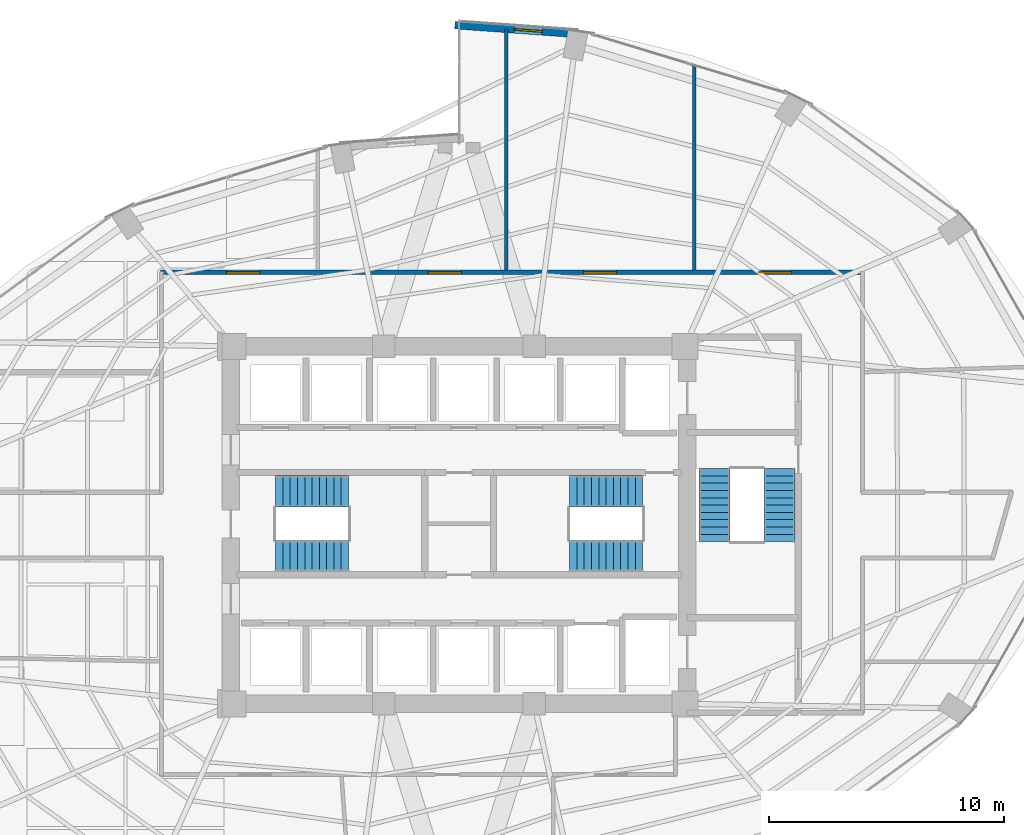
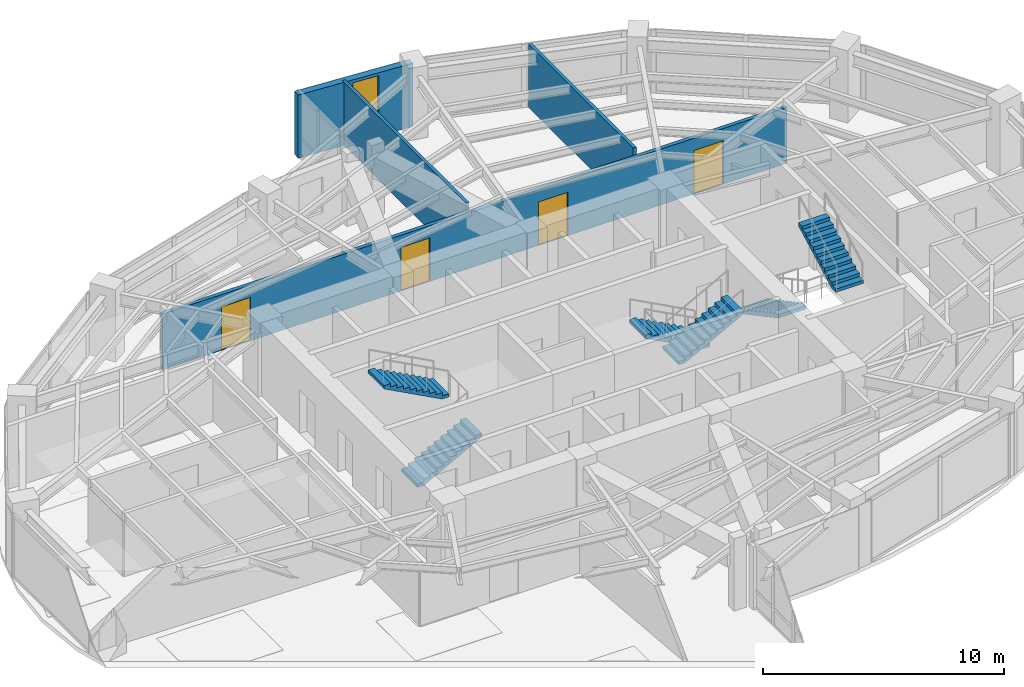
# One storey, part 22 of 24: 6 stair flights, 4 doors, 4 walls, 1 window, 5 openings, 3 elements without a shape of their own.
"""IFC4 building model written with IfcOpenShell, lengths in metres."""

from ifc_helpers import new_model, si_unit, direction, frame, frame_2d, origin, place, context, subcontext, project, spatial, polyline, rectangle, outline, extrude, material, layer, layer_set, type_object, element, fill, aggregate, save


model = new_model("IFC4")

# Units and contexts
model_context = context("Model", 3, precision=1e-05, world=origin(), true_north=direction((0.0, 1.0)))
body_context = subcontext(model_context, "Body", "Model", "MODEL_VIEW")
ifc_project = project(units=[si_unit("LENGTHUNIT", "METRE"), si_unit("AREAUNIT", "SQUARE_METRE"), si_unit("VOLUMEUNIT", "CUBIC_METRE"), si_unit("PLANEANGLEUNIT", "RADIAN"), si_unit("MASSUNIT", "GRAM", prefix="KILO")], contexts=[model_context])

# Site, building, storey
site_placement = place(None, origin())
site = spatial("IfcSite", under=ifc_project, at=site_placement, CompositionType="ELEMENT")
building_placement = place(site_placement, origin())
building = spatial("IfcBuilding", under=site, at=building_placement, Name="Lazwardi Medical Tower", CompositionType="ELEMENT")
storey_placement = place(building_placement, frame((0.0, 0.0, 129.16796875)))
storey = spatial("IfcBuildingStorey", under=building, at=storey_placement, Name="L33", CompositionType="ELEMENT", Elevation=129.16796875)

# Wall, openings, doors
ifc_material_1 = material(Name="Fire-rated gypsum board on steel stud", Category="steel")
ifc_layer_1 = layer(ifc_material_1, 0.179931640625)
ifc_layer_set_1 = layer_set([ifc_layer_1], Name="Fire-rated gypsum board on steel stud")
wall_type_1 = type_object("IfcWallType", Name="WL-COR-180", PredefinedType="PARTITIONING", material=ifc_layer_set_1)
wall_1_placement = place(storey_placement, frame((23.31005859375, 38.75, 0.0), z_axis=(0.0, 0.0, 1.0), x_axis=(1.0, 0.0, 0.0)))
wall_1 = element("IfcWall", 1, at=wall_1_placement, inside=storey, type_object=wall_type_1, Name="L33 Corridor partition 4", PredefinedType="PARTITIONING", context=body_context, shape_type="SweptSolid", body=[
    extrude(rectangle(XDim=29.8798828125, YDim=0.179931640625, at=frame_2d((14.93994140625, 0.0))), origin(), (0.0, 0.0, 1.0), 2.822998046875),
])
opening_1_placement = place(wall_1_placement, frame((25.426025390625, 0.0, 0.0)))
opening_1 = element("IfcOpeningElement", 2, at=opening_1_placement, cuts=wall_1, Name="Opening D-L33-011", PredefinedType="OPENING", context=body_context, shape_type="SweptSolid", body=[
    extrude(rectangle(XDim=1.39990234375, YDim=2.199951171875, at=frame_2d((0.699951171875, 1.10009765625))), frame((0.0, 0.099853515625, 0.0), z_axis=(0.0, -1.0, 0.0), x_axis=(1.0, 0.0, 0.0)), (0.0, 0.0, 1.0), 0.199951171875),
])
opening_2_placement = place(wall_1_placement, frame((17.989990234375, 0.0, 0.0)))
opening_2 = element("IfcOpeningElement", 3, at=opening_2_placement, cuts=wall_1, Name="Opening D-L33-012", PredefinedType="OPENING", context=body_context, shape_type="SweptSolid", body=[
    extrude(rectangle(XDim=1.39990234375, YDim=2.199951171875, at=frame_2d((0.699951171875, 1.10009765625))), frame((0.0, 0.099853515625, 0.0), z_axis=(0.0, -1.0, 0.0), x_axis=(1.0, 0.0, 0.0)), (0.0, 0.0, 1.0), 0.199951171875),
])
opening_3_placement = place(wall_1_placement, frame((11.389892578125, 0.0, 0.0)))
opening_3 = element("IfcOpeningElement", 4, at=opening_3_placement, cuts=wall_1, Name="Opening D-L33-013", PredefinedType="OPENING", context=body_context, shape_type="SweptSolid", body=[
    extrude(rectangle(XDim=1.39990234375, YDim=2.199951171875, at=frame_2d((0.699951171875, 1.10009765625))), frame((0.0, 0.099853515625, 0.0), z_axis=(0.0, -1.0, 0.0), x_axis=(1.0, 0.0, 0.0)), (0.0, 0.0, 1.0), 0.199951171875),
])
opening_4_placement = place(wall_1_placement, frame((2.803955078125, 0.0, 0.0)))
opening_4 = element("IfcOpeningElement", 5, at=opening_4_placement, cuts=wall_1, Name="Opening D-L33-014", PredefinedType="OPENING", context=body_context, shape_type="SweptSolid", body=[
    extrude(rectangle(XDim=1.39990234375, YDim=2.199951171875, at=frame_2d((0.699951171875, 1.10009765625))), frame((0.0, 0.099853515625, 0.0), z_axis=(0.0, -1.0, 0.0), x_axis=(1.0, 0.0, 0.0)), (0.0, 0.0, 1.0), 0.199951171875),
])
ifc_material_2 = material(Name="Anti-microbial laminate hospital leaf")
door_type = type_object("IfcDoorType", Name="DR-BED-1400", OperationType="NOTDEFINED", PredefinedType="DOOR", material=ifc_material_2)
door_1_placement = place(opening_1_placement, origin())
door_1 = element("IfcDoor", 6, at=door_1_placement, inside=storey, type_object=door_type, Name="L33 Department Reception Foyer Door 05", OperationType="SINGLE_SWING_RIGHT", OverallHeight=2.199951171875, OverallWidth=1.39990234375, PredefinedType="DOOR", context=body_context, shape_type="SweptSolid", body=[
    extrude(rectangle(XDim=1.39990234375, YDim=2.199951171875, at=frame_2d((0.699951171875, 1.10009765625))), frame((0.0, 0.02490234375, 0.0), z_axis=(0.0, -1.0, 0.0), x_axis=(1.0, 0.0, 0.0)), (0.0, 0.0, 1.0), 0.050048828125),
])
fill(opening_1, door_1)
door_2_placement = place(opening_2_placement, origin())
door_2 = element("IfcDoor", 7, at=door_2_placement, inside=storey, type_object=door_type, Name="L33 Department Reception Foyer Door 06", OperationType="SINGLE_SWING_LEFT", OverallHeight=2.199951171875, OverallWidth=1.39990234375, PredefinedType="DOOR", context=body_context, shape_type="SweptSolid", body=[
    extrude(rectangle(XDim=1.39990234375, YDim=2.199951171875, at=frame_2d((0.699951171875, 1.10009765625))), frame((0.0, 0.02490234375, 0.0), z_axis=(0.0, -1.0, 0.0), x_axis=(1.0, 0.0, 0.0)), (0.0, 0.0, 1.0), 0.050048828125),
])
fill(opening_2, door_2)
door_3_placement = place(opening_3_placement, origin())
door_3 = element("IfcDoor", 8, at=door_3_placement, inside=storey, type_object=door_type, Name="L33 Department Reception Foyer Door 07", OperationType="SINGLE_SWING_RIGHT", OverallHeight=2.199951171875, OverallWidth=1.39990234375, PredefinedType="DOOR", context=body_context, shape_type="SweptSolid", body=[
    extrude(rectangle(XDim=1.39990234375, YDim=2.199951171875, at=frame_2d((0.699951171875, 1.10009765625))), frame((0.0, 0.02490234375, 0.0), z_axis=(0.0, -1.0, 0.0), x_axis=(1.0, 0.0, 0.0)), (0.0, 0.0, 1.0), 0.050048828125),
])
fill(opening_3, door_3)
door_4_placement = place(opening_4_placement, origin())
door_4 = element("IfcDoor", 9, at=door_4_placement, inside=storey, type_object=door_type, Name="L33 Department Reception Foyer Door 08", OperationType="SINGLE_SWING_LEFT", OverallHeight=2.199951171875, OverallWidth=1.39990234375, PredefinedType="DOOR", context=body_context, shape_type="SweptSolid", body=[
    extrude(rectangle(XDim=1.39990234375, YDim=2.199951171875, at=frame_2d((0.699951171875, 1.10009765625))), frame((0.0, 0.02490234375, 0.0), z_axis=(0.0, -1.0, 0.0), x_axis=(1.0, 0.0, 0.0)), (0.0, 0.0, 1.0), 0.050048828125),
])
fill(opening_4, door_4)

# Wall, opening, window
ifc_material_3 = material(Name="Precast concrete C45/55", Category="concrete")
ifc_layer_2 = layer(ifc_material_3, 0.320068359375)
ifc_layer_set_2 = layer_set([ifc_layer_2], Name="Precast concrete C45/55")
wall_type_2 = type_object("IfcWallType", Name="WL-IWAN-320", PredefinedType="SOLIDWALL", material=ifc_layer_set_2)
wall_2_placement = place(storey_placement, frame((41.091064453125, 48.87451171875, 0.0), z_axis=(0.0, 0.0, 1.0), x_axis=(-0.997432364291, 0.071614793619, 0.0)))
wall_2 = element("IfcWall", 10, at=wall_2_placement, inside=storey, type_object=wall_type_2, Name="L33 Iwan Portal Return Wall NE_ret", PredefinedType="SOLIDWALL", context=body_context, shape_type="SweptSolid", body=[
    extrude(rectangle(XDim=5.2841796875, YDim=0.320068359375, at=frame_2d((2.64208984375, 0.0))), origin(), (0.0, 0.0, 1.0), 3.197998046875),
])
opening_5_placement = place(wall_2_placement, frame((1.557861328125, 0.0, 0.85009765625)))
opening_5 = element("IfcOpeningElement", 11, at=opening_5_placement, cuts=wall_2, Name="Opening WN-01", PredefinedType="OPENING", context=body_context, shape_type="SweptSolid", body=[
    extrude(rectangle(XDim=1.199951171875, YDim=2.199951171875, at=frame_2d((0.60009765625, 1.10009765625))), frame((0.0, 0.169921875, 0.0), z_axis=(0.0, -1.0, 0.0), x_axis=(1.0, 0.0, 0.0)), (0.0, 0.0, 1.0), 0.340087890625),
])
ifc_material_4 = material(Name="Low-e bronze solar control double glazing", Category="glass")
window_type = type_object("IfcWindowType", Name="WIN-IW-1200", PartitioningType="SINGLE_PANEL", PredefinedType="WINDOW", material=ifc_material_4)
window_placement = place(opening_5_placement, origin())
window = element("IfcWindow", 12, at=window_placement, inside=storey, type_object=window_type, Name="L33 Iwan Slot Window NE_ret", OverallHeight=2.199951171875, OverallWidth=1.199951171875, PartitioningType="SINGLE_PANEL", PredefinedType="WINDOW", context=body_context, shape_type="SweptSolid", body=[
    extrude(rectangle(XDim=1.199951171875, YDim=2.199951171875, at=frame_2d((0.60009765625, 1.10009765625))), frame((0.0, 0.030029296875, 0.0), z_axis=(0.0, -1.0, 0.0), x_axis=(1.0, 0.0, 0.0)), (0.0, 0.0, 1.0), 0.06005859375),
])
fill(opening_5, window)

# Walls
ifc_material_5 = material(Name="Acoustic gypsum board partition")
ifc_layer_3 = layer(ifc_material_5, 0.14990234375)
ifc_layer_set_3 = layer_set([ifc_layer_3], Name="Acoustic gypsum board partition")
wall_type_3 = type_object("IfcWallType", Name="WL-WRD-150", PredefinedType="PARTITIONING", material=ifc_layer_set_3)
wall_3_placement = place(storey_placement, frame((38.0, 38.840087890625, 0.0), z_axis=(0.0, 0.0, 1.0), x_axis=(0.0, 1.0, 0.0)))
element("IfcWall", 13, at=wall_3_placement, inside=storey, type_object=wall_type_3, Name="L33 Room partition 6", PredefinedType="PARTITIONING", context=body_context, shape_type="SweptSolid", body=[
    extrude(rectangle(XDim=10.24365234375, YDim=0.14990234375, at=frame_2d((5.121826171875, 0.0))), origin(), (0.0, 0.0, 1.0), 3.197998046875),
])
wall_4_placement = place(storey_placement, frame((46.0, 38.840087890625, 0.0), z_axis=(0.0, 0.0, 1.0), x_axis=(0.0, 1.0, 0.0)))
element("IfcWall", 14, at=wall_4_placement, inside=storey, type_object=wall_type_3, Name="L33 Room partition 7", PredefinedType="PARTITIONING", context=body_context, shape_type="SweptSolid", body=[
    extrude(rectangle(XDim=8.689208984375, YDim=0.14990234375, at=frame_2d((4.3447265625, 0.0))), origin(), (0.0, 0.0, 1.0), 3.197998046875),
])

# Stair, stair flights
ifc_material_6 = material(Name="Concrete C45/55", Category="concrete")
stair_type = type_object("IfcStairType", Name="STR-WRD", PredefinedType="HALF_TURN_STAIR", material=ifc_material_6)
stair_1_placement = place(storey_placement, origin())
stair_1 = element("IfcStair", 15, at=stair_1_placement, inside=storey, type_object=stair_type, Name="L33 Protected Exit Stair ST1", PredefinedType="HALF_TURN_STAIR")
stair_flight_type = type_object("IfcStairFlightType", Name="FLT-WRD", PredefinedType="STRAIGHT", material=ifc_material_6)
stair_flight_1_placement = place(storey_placement, frame((28.199951171875, 26.679931640625, 0.0), z_axis=(0.0, 0.0, 1.0), x_axis=(1.0, 0.0, 0.0)))
stair_flight_1 = element("IfcStairFlight", 16, at=stair_flight_1_placement, type_object=stair_flight_type, Name="ST1 flight 1", NumberOfRisers=11, NumberOfTreads=10, PredefinedType="STRAIGHT", RiserHeight=0.165818182, TreadLength=0.31, context=body_context, shape_type="SweptSolid", body=[
    extrude(outline(polyline([(0.0, 0.0), (0.0, 0.165771484375), (0.31005859375, 0.165771484375), (0.31005859375, 0.33154296875), (0.6201171875, 0.33154296875), (0.6201171875, 0.49755859375), (0.929931640625, 0.49755859375), (0.929931640625, 0.663330078125), (1.239990234375, 0.663330078125), (1.239990234375, 0.8291015625), (1.550048828125, 0.8291015625), (1.550048828125, 0.994873046875), (1.860107421875, 0.994873046875), (1.860107421875, 1.16064453125), (2.169921875, 1.16064453125), (2.169921875, 1.32666015625), (2.47998046875, 1.32666015625), (2.47998046875, 1.492431640625), (2.7900390625, 1.492431640625), (2.7900390625, 1.658203125), (3.10009765625, 1.658203125), (3.10009765625, 1.823974609375), (3.10009765625, 1.48828125), (0.31787109375, 0.0), (0.0, 0.0)])), frame((0.0, 0.66015625, 0.0), z_axis=(0.0, -1.0, 0.0), x_axis=(1.0, 0.0, 0.0)), (0.0, 0.0, 1.0), 1.320068359375),
])
stair_flight_2_placement = place(storey_placement, frame((31.300048828125, 29.43994140625, 1.823974609375), z_axis=(0.0, 0.0, 1.0), x_axis=(-1.0, 0.0, 0.0)))
stair_flight_2 = element("IfcStairFlight", 17, at=stair_flight_2_placement, type_object=stair_flight_type, Name="ST1 flight 2", NumberOfRisers=11, NumberOfTreads=10, PredefinedType="STRAIGHT", RiserHeight=0.165818182, TreadLength=0.31, context=body_context, shape_type="SweptSolid", body=[
    extrude(outline(polyline([(0.0, 0.0), (0.0, 0.165771484375), (0.31005859375, 0.165771484375), (0.31005859375, 0.33154296875), (0.6201171875, 0.33154296875), (0.6201171875, 0.49755859375), (0.929931640625, 0.49755859375), (0.929931640625, 0.663330078125), (1.239990234375, 0.663330078125), (1.239990234375, 0.8291015625), (1.550048828125, 0.8291015625), (1.550048828125, 0.994873046875), (1.860107421875, 0.994873046875), (1.860107421875, 1.16064453125), (2.169921875, 1.16064453125), (2.169921875, 1.32666015625), (2.47998046875, 1.32666015625), (2.47998046875, 1.492431640625), (2.7900390625, 1.492431640625), (2.7900390625, 1.658203125), (3.10009765625, 1.658203125), (3.10009765625, 1.823974609375), (3.10009765625, 1.48828125), (0.31787109375, 0.0), (0.0, 0.0)])), frame((0.0, 0.66015625, 0.0), z_axis=(0.0, -1.0, 0.0), x_axis=(1.0, 0.0, 0.0)), (0.0, 0.0, 1.0), 1.320068359375),
])
aggregate(stair_1, [stair_flight_1, stair_flight_2])

stair_2_placement = place(storey_placement, origin())
stair_2 = element("IfcStair", 18, at=stair_2_placement, inside=storey, type_object=stair_type, Name="L33 Protected Exit Stair ST2", PredefinedType="HALF_TURN_STAIR")
stair_flight_3_placement = place(storey_placement, frame((43.800048828125, 29.43994140625, 0.0), z_axis=(0.0, 0.0, 1.0), x_axis=(-1.0, 0.0, 0.0)))
stair_flight_3 = element("IfcStairFlight", 19, at=stair_flight_3_placement, type_object=stair_flight_type, Name="ST2 flight 1", NumberOfRisers=11, NumberOfTreads=10, PredefinedType="STRAIGHT", RiserHeight=0.165818182, TreadLength=0.31, context=body_context, shape_type="SweptSolid", body=[
    extrude(outline(polyline([(0.0, 0.0), (0.0, 0.165771484375), (0.31005859375, 0.165771484375), (0.31005859375, 0.33154296875), (0.6201171875, 0.33154296875), (0.6201171875, 0.49755859375), (0.929931640625, 0.49755859375), (0.929931640625, 0.663330078125), (1.239990234375, 0.663330078125), (1.239990234375, 0.8291015625), (1.550048828125, 0.8291015625), (1.550048828125, 0.994873046875), (1.860107421875, 0.994873046875), (1.860107421875, 1.16064453125), (2.169921875, 1.16064453125), (2.169921875, 1.32666015625), (2.47998046875, 1.32666015625), (2.47998046875, 1.492431640625), (2.7900390625, 1.492431640625), (2.7900390625, 1.658203125), (3.10009765625, 1.658203125), (3.10009765625, 1.823974609375), (3.10009765625, 1.48828125), (0.31787109375, 0.0), (0.0, 0.0)])), frame((0.0, 0.66015625, 0.0), z_axis=(0.0, -1.0, 0.0), x_axis=(1.0, 0.0, 0.0)), (0.0, 0.0, 1.0), 1.320068359375),
])
stair_flight_4_placement = place(storey_placement, frame((40.699951171875, 26.679931640625, 1.823974609375), z_axis=(0.0, 0.0, 1.0), x_axis=(1.0, 0.0, 0.0)))
stair_flight_4 = element("IfcStairFlight", 20, at=stair_flight_4_placement, type_object=stair_flight_type, Name="ST2 flight 2", NumberOfRisers=11, NumberOfTreads=10, PredefinedType="STRAIGHT", RiserHeight=0.165818182, TreadLength=0.31, context=body_context, shape_type="SweptSolid", body=[
    extrude(outline(polyline([(0.0, 0.0), (0.0, 0.165771484375), (0.31005859375, 0.165771484375), (0.31005859375, 0.33154296875), (0.6201171875, 0.33154296875), (0.6201171875, 0.49755859375), (0.929931640625, 0.49755859375), (0.929931640625, 0.663330078125), (1.239990234375, 0.663330078125), (1.239990234375, 0.8291015625), (1.550048828125, 0.8291015625), (1.550048828125, 0.994873046875), (1.860107421875, 0.994873046875), (1.860107421875, 1.16064453125), (2.169921875, 1.16064453125), (2.169921875, 1.32666015625), (2.47998046875, 1.32666015625), (2.47998046875, 1.492431640625), (2.7900390625, 1.492431640625), (2.7900390625, 1.658203125), (3.10009765625, 1.658203125), (3.10009765625, 1.823974609375), (3.10009765625, 1.48828125), (0.31787109375, 0.0), (0.0, 0.0)])), frame((0.0, 0.66015625, 0.0), z_axis=(0.0, -1.0, 0.0), x_axis=(1.0, 0.0, 0.0)), (0.0, 0.0, 1.0), 1.320068359375),
])
aggregate(stair_2, [stair_flight_3, stair_flight_4])

stair_3_placement = place(storey_placement, origin())
stair_3 = element("IfcStair", 21, at=stair_3_placement, inside=storey, type_object=stair_type, Name="L33 Protected Exit Stair ST3", PredefinedType="HALF_TURN_STAIR")
stair_flight_5_placement = place(storey_placement, frame((46.860107421875, 30.39990234375, 0.0), z_axis=(0.0, 0.0, 1.0), x_axis=(0.0, -1.0, 0.0)))
stair_flight_5 = element("IfcStairFlight", 22, at=stair_flight_5_placement, type_object=stair_flight_type, Name="ST3 flight 1", NumberOfRisers=11, NumberOfTreads=10, PredefinedType="STRAIGHT", RiserHeight=0.165818182, TreadLength=0.31, context=body_context, shape_type="SweptSolid", body=[
    extrude(outline(polyline([(0.0, 0.0), (0.0, 0.165771484375), (0.31005859375, 0.165771484375), (0.31005859375, 0.33154296875), (0.6201171875, 0.33154296875), (0.6201171875, 0.49755859375), (0.929931640625, 0.49755859375), (0.929931640625, 0.663330078125), (1.239990234375, 0.663330078125), (1.239990234375, 0.8291015625), (1.550048828125, 0.8291015625), (1.550048828125, 0.994873046875), (1.860107421875, 0.994873046875), (1.860107421875, 1.16064453125), (2.169921875, 1.16064453125), (2.169921875, 1.32666015625), (2.47998046875, 1.32666015625), (2.47998046875, 1.492431640625), (2.7900390625, 1.492431640625), (2.7900390625, 1.658203125), (3.10009765625, 1.658203125), (3.10009765625, 1.823974609375), (3.10009765625, 1.48828125), (0.31787109375, 0.0), (0.0, 0.0)])), frame((0.0, 0.66015625, 0.0), z_axis=(0.0, -1.0, 0.0), x_axis=(1.0, 0.0, 0.0)), (0.0, 0.0, 1.0), 1.320068359375),
])
stair_flight_6_placement = place(storey_placement, frame((49.6201171875, 27.300048828125, 1.823974609375), z_axis=(0.0, 0.0, 1.0), x_axis=(0.0, 1.0, 0.0)))
stair_flight_6 = element("IfcStairFlight", 23, at=stair_flight_6_placement, type_object=stair_flight_type, Name="ST3 flight 2", NumberOfRisers=11, NumberOfTreads=10, PredefinedType="STRAIGHT", RiserHeight=0.165818182, TreadLength=0.31, context=body_context, shape_type="SweptSolid", body=[
    extrude(outline(polyline([(0.0, 0.0), (0.0, 0.165771484375), (0.31005859375, 0.165771484375), (0.31005859375, 0.33154296875), (0.6201171875, 0.33154296875), (0.6201171875, 0.49755859375), (0.929931640625, 0.49755859375), (0.929931640625, 0.663330078125), (1.239990234375, 0.663330078125), (1.239990234375, 0.8291015625), (1.550048828125, 0.8291015625), (1.550048828125, 0.994873046875), (1.860107421875, 0.994873046875), (1.860107421875, 1.16064453125), (2.169921875, 1.16064453125), (2.169921875, 1.32666015625), (2.47998046875, 1.32666015625), (2.47998046875, 1.492431640625), (2.7900390625, 1.492431640625), (2.7900390625, 1.658203125), (3.10009765625, 1.658203125), (3.10009765625, 1.823974609375), (3.10009765625, 1.48828125), (0.31787109375, 0.0), (0.0, 0.0)])), frame((0.0, 0.66015625, 0.0), z_axis=(0.0, -1.0, 0.0), x_axis=(1.0, 0.0, 0.0)), (0.0, 0.0, 1.0), 1.320068359375),
])
aggregate(stair_3, [stair_flight_5, stair_flight_6])

save(model, "model.ifc")
